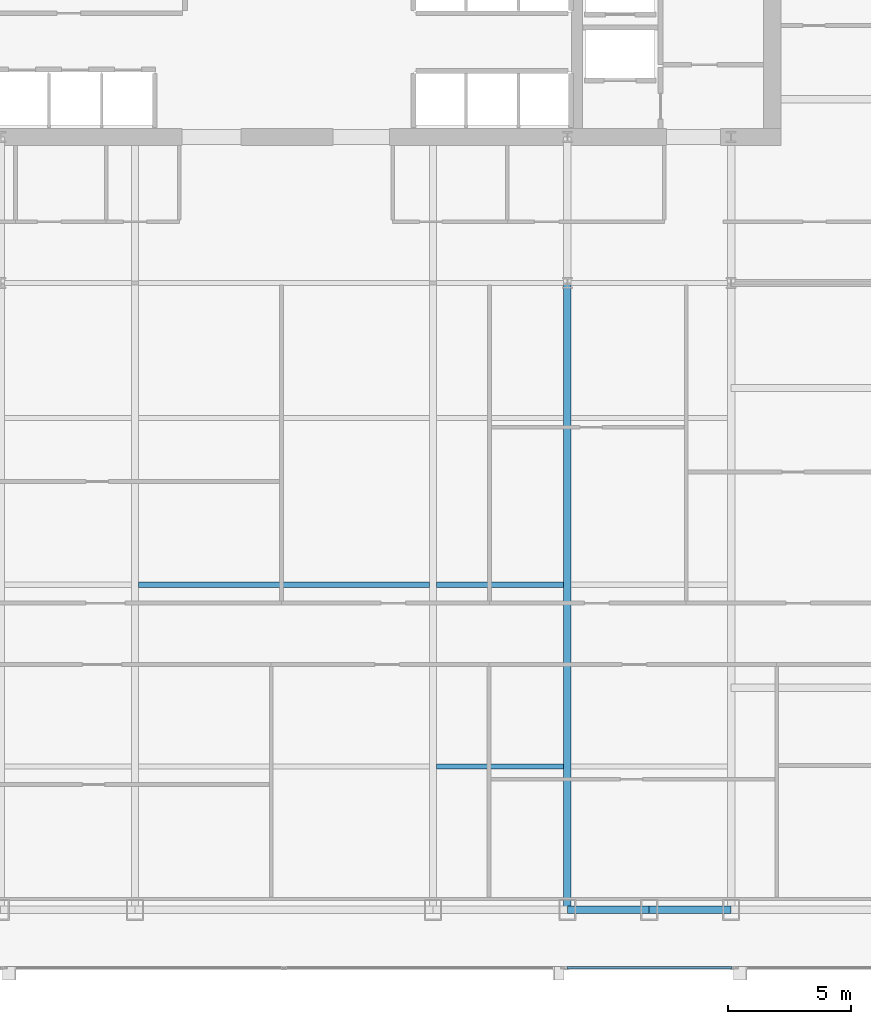
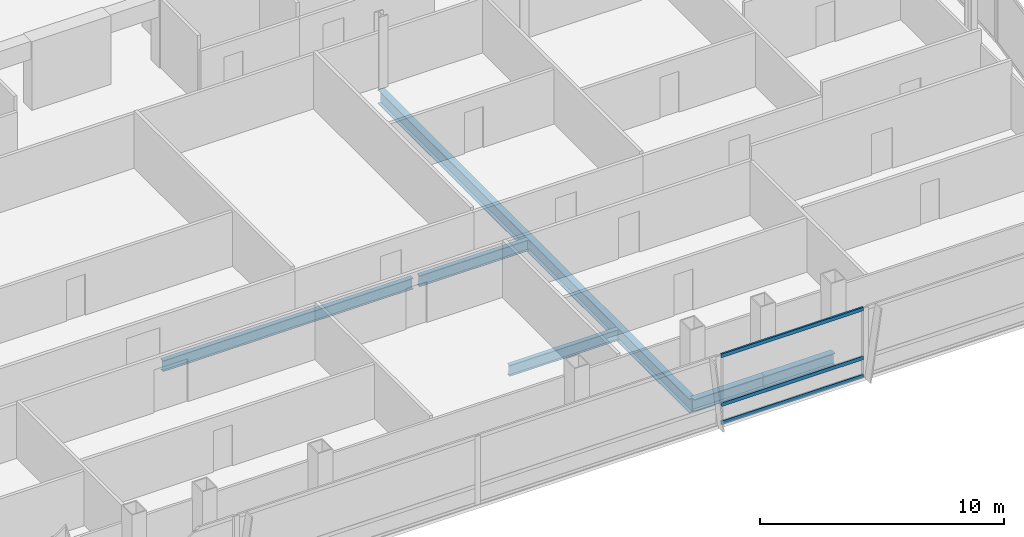
# One storey, part 14 of 31: 6 beams, 3 members, 1 element without a shape of its own.
"""IFC4 building model written with IfcOpenShell, lengths in metres."""

from ifc_helpers import new_model, si_unit, direction, frame, origin, origin_2d, place, context, subcontext, project, spatial, hollow_rectangle, i_section, extrude, material, material_profile, profile_set, type_object, element, aggregate, save


model = new_model("IFC4")

# Units and contexts
model_context = context("Model", 3, precision=1e-05, world=origin(), true_north=direction((0.0, 1.0)))
body_context = subcontext(model_context, "Body", "Model", "MODEL_VIEW")
ifc_project = project(units=[si_unit("LENGTHUNIT", "METRE"), si_unit("AREAUNIT", "SQUARE_METRE"), si_unit("VOLUMEUNIT", "CUBIC_METRE"), si_unit("PLANEANGLEUNIT", "RADIAN"), si_unit("MASSUNIT", "GRAM", prefix="KILO")], contexts=[model_context])

# Site, building, storey
site_placement = place(None, origin())
site = spatial("IfcSite", under=ifc_project, at=site_placement, CompositionType="ELEMENT")
building_placement = place(site_placement, origin())
building = spatial("IfcBuilding", under=site, at=building_placement, Name="Khoronbel Lancet Exchange", CompositionType="ELEMENT")
storey_placement = place(building_placement, frame((0.0, 0.0, 121.800048828125)))
storey = spatial("IfcBuildingStorey", under=building, at=storey_placement, Name="L29", CompositionType="ELEMENT", Elevation=121.800048828125)

# Beams
ifc_material_1 = material(Name="Steel S355", Category="steel")
ifc_material_profile_1 = material_profile(ifc_material_1, i_section(OverallWidth=0.300048828125, OverallDepth=0.699951171875, WebThickness=0.01708984375, FlangeThickness=0.031982421875, at=origin_2d()), Name="HEB 700")
ifc_profile_set_1 = profile_set([ifc_material_profile_1], Name="Steel S355")
beam_type_1 = type_object("IfcBeamType", Name="BM-BG3", PredefinedType="BEAM", material=ifc_profile_set_1)
beam_1_placement = place(storey_placement, frame((48.0, 10.14990234375, -0.510009765625), z_axis=(0.0, 1.0, 0.0), x_axis=(-1.0, 0.0, 0.0)))
element("IfcBeam", 1, at=beam_1_placement, inside=storey, type_object=beam_type_1, Name="Level L29 south primary girder GS5", PredefinedType="BEAM", context=body_context, shape_type="SweptSolid", body=[
    extrude(i_section(OverallWidth=0.300048828125, OverallDepth=0.699951171875, WebThickness=0.01708984375, FlangeThickness=0.031982421875, at=origin_2d()), origin(), (0.0, 0.0, 1.0), 25.550048828125),
])
ifc_material_profile_2 = material_profile(ifc_material_1, i_section(OverallWidth=0.2099609375, OverallDepth=0.550048828125, WebThickness=0.010986328125, FlangeThickness=0.01708984375, at=origin_2d()), Name="IPE 550")
ifc_profile_set_2 = profile_set([ifc_material_profile_2], Name="Steel S355")
beam_type_2 = type_object("IfcBeamType", Name="BM-BJ2", PredefinedType="JOIST", material=ifc_profile_set_2)
beam_2_placement = place(storey_placement, frame((42.675048828125, 16.0, -0.43505859375), z_axis=(1.0, 0.0, 0.0), x_axis=(0.0, 1.0, 0.0)))
element("IfcBeam", 2, at=beam_2_placement, inside=storey, type_object=beam_type_2, Name="Level L29 secondary composite joist J04", PredefinedType="JOIST", context=body_context, shape_type="SweptSolid", body=[
    extrude(i_section(OverallWidth=0.2099609375, OverallDepth=0.550048828125, WebThickness=0.010986328125, FlangeThickness=0.01708984375, at=origin_2d()), origin(), (0.0, 0.0, 1.0), 5.175048828125),
])
beam_3_placement = place(storey_placement, frame((30.52490234375, 23.39990234375, -0.43505859375), z_axis=(1.0, 0.0, 0.0), x_axis=(0.0, 1.0, 0.0)))
element("IfcBeam", 3, at=beam_3_placement, inside=storey, type_object=beam_type_2, Name="Level L29 secondary composite joist J08", PredefinedType="JOIST", context=body_context, shape_type="SweptSolid", body=[
    extrude(i_section(OverallWidth=0.2099609375, OverallDepth=0.550048828125, WebThickness=0.010986328125, FlangeThickness=0.01708984375, at=origin_2d()), origin(), (0.0, 0.0, 1.0), 11.85009765625),
])
beam_4_placement = place(storey_placement, frame((42.675048828125, 23.39990234375, -0.43505859375), z_axis=(1.0, 0.0, 0.0), x_axis=(0.0, 1.0, 0.0)))
element("IfcBeam", 4, at=beam_4_placement, inside=storey, type_object=beam_type_2, Name="Level L29 secondary composite joist J09", PredefinedType="JOIST", context=body_context, shape_type="SweptSolid", body=[
    extrude(i_section(OverallWidth=0.2099609375, OverallDepth=0.550048828125, WebThickness=0.010986328125, FlangeThickness=0.01708984375, at=origin_2d()), origin(), (0.0, 0.0, 1.0), 5.175048828125),
])
ifc_material_profile_3 = material_profile(ifc_material_1, i_section(OverallWidth=0.300048828125, OverallDepth=0.60009765625, WebThickness=0.015380859375, FlangeThickness=0.030029296875, at=origin_2d()), Name="HEB 600")
ifc_profile_set_3 = profile_set([ifc_material_profile_3], Name="Steel S355")
beam_type_3 = type_object("IfcBeamType", Name="BM-BSP2", PredefinedType="SPANDREL", material=ifc_profile_set_3)
beam_5_placement = place(storey_placement, frame((48.0, 10.14990234375, -0.4599609375), z_axis=(1.0, 0.0, 0.0), x_axis=(0.0, 1.0, 0.0)))
element("IfcBeam", 5, at=beam_5_placement, inside=storey, type_object=beam_type_3, Name="Level L29 perimeter spandrel beam SP07", PredefinedType="SPANDREL", context=body_context, shape_type="SweptSolid", body=[
    extrude(i_section(OverallWidth=0.300048828125, OverallDepth=0.60009765625, WebThickness=0.015380859375, FlangeThickness=0.030029296875, at=origin_2d()), origin(), (0.0, 0.0, 1.0), 3.33740234375),
])
beam_6_placement = place(storey_placement, frame((51.33740234375, 10.14990234375, -0.4599609375), z_axis=(1.0, 0.0, 0.0), x_axis=(0.0, 1.0, 0.0)))
element("IfcBeam", 6, at=beam_6_placement, inside=storey, type_object=beam_type_3, Name="Level L29 perimeter spandrel beam SP08", PredefinedType="SPANDREL", context=body_context, shape_type="SweptSolid", body=[
    extrude(i_section(OverallWidth=0.300048828125, OverallDepth=0.60009765625, WebThickness=0.015380859375, FlangeThickness=0.030029296875, at=origin_2d()), origin(), (0.0, 0.0, 1.0), 3.337646484375),
])

# Curtain wall, members
ifc_material_2 = material(Name="Low-E Solar Control Insulating Glass", Category="glass")
curtain_wall_type = type_object("IfcCurtainWallType", Name="CW-2", PredefinedType="NOTDEFINED", material=ifc_material_2)
curtain_wall_placement = place(storey_placement, origin())
curtain_wall = element("IfcCurtainWall", 7, at=curtain_wall_placement, inside=storey, type_object=curtain_wall_type, Name="Unitised curtain wall CW-L29-SEB", PredefinedType="NOTDEFINED")
ifc_material_3 = material(Name="Bronze-Anodised Aluminium 6063-T6", Category="aluminium")
ifc_material_profile_4 = material_profile(ifc_material_3, hollow_rectangle(XDim=0.0849609375, YDim=0.179931640625, WallThickness=0.0048828125, at=origin_2d()), Name="ALU TRANSOM 85x180")
ifc_profile_set_4 = profile_set([ifc_material_profile_4], Name="Bronze-Anodised Aluminium 6063-T6")
member_type = type_object("IfcMemberType", Name="MEM-CWT1", PredefinedType="USERDEFINED", material=ifc_profile_set_4)
member_1_placement = place(storey_placement, frame((47.985107421875, 7.7900390625, 0.04248046875), z_axis=(1.0, 0.0, 0.0), x_axis=(0.0, 1.0, 0.0)))
member_1 = element("IfcMember", 8, at=member_1_placement, type_object=member_type, Name="CW2 transom 1.1", ObjectType="TRANSOM", PredefinedType="USERDEFINED", context=body_context, shape_type="SweptSolid", body=[
    extrude(hollow_rectangle(XDim=0.0849609375, YDim=0.179931640625, WallThickness=0.0048828125, at=origin_2d()), origin(), (0.0, 0.0, 1.0), 6.72998046875),
])
member_2_placement = place(storey_placement, frame((47.985107421875, 7.7900390625, 0.949951171875), z_axis=(1.0, 0.0, 0.0), x_axis=(0.0, 1.0, 0.0)))
member_2 = element("IfcMember", 9, at=member_2_placement, type_object=member_type, Name="CW2 transom 1.2", ObjectType="TRANSOM", PredefinedType="USERDEFINED", context=body_context, shape_type="SweptSolid", body=[
    extrude(hollow_rectangle(XDim=0.0849609375, YDim=0.179931640625, WallThickness=0.0048828125, at=origin_2d()), origin(), (0.0, 0.0, 1.0), 6.72998046875),
])
member_3_placement = place(storey_placement, frame((47.985107421875, 7.7900390625, 3.3974609375), z_axis=(1.0, 0.0, 0.0), x_axis=(0.0, 1.0, 0.0)))
member_3 = element("IfcMember", 10, at=member_3_placement, type_object=member_type, Name="CW2 transom 1.3", ObjectType="TRANSOM", PredefinedType="USERDEFINED", context=body_context, shape_type="SweptSolid", body=[
    extrude(hollow_rectangle(XDim=0.0849609375, YDim=0.179931640625, WallThickness=0.0048828125, at=origin_2d()), origin(), (0.0, 0.0, 1.0), 6.72998046875),
])
aggregate(curtain_wall, [member_1, member_2, member_3])

save(model, "model.ifc")
